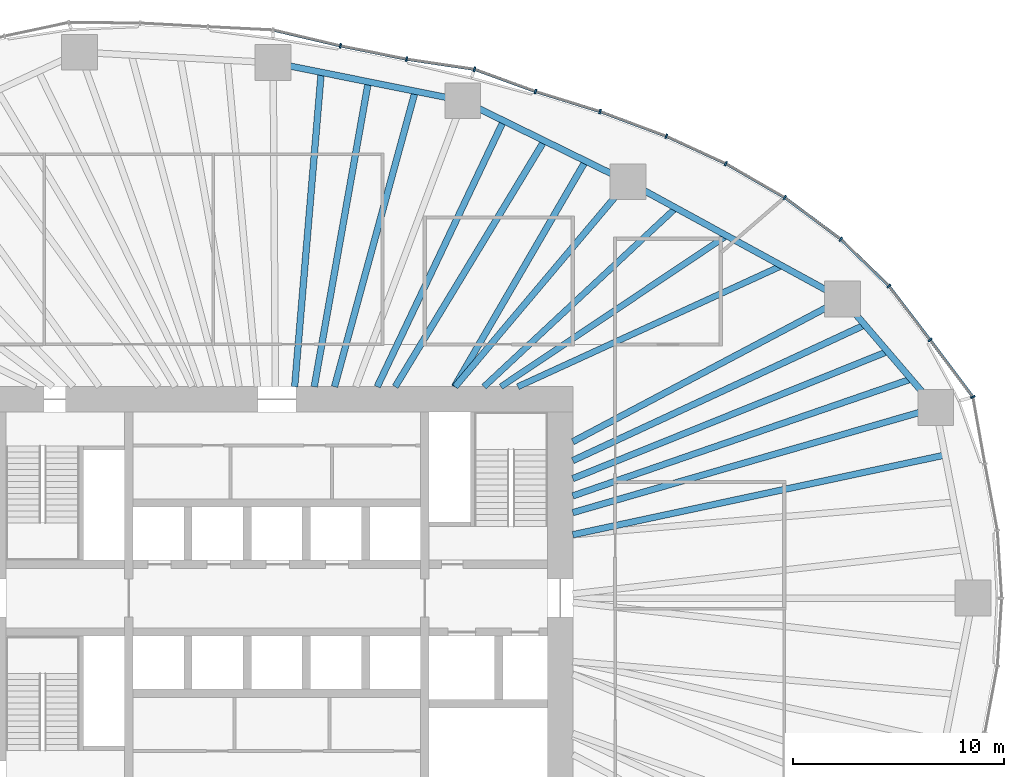
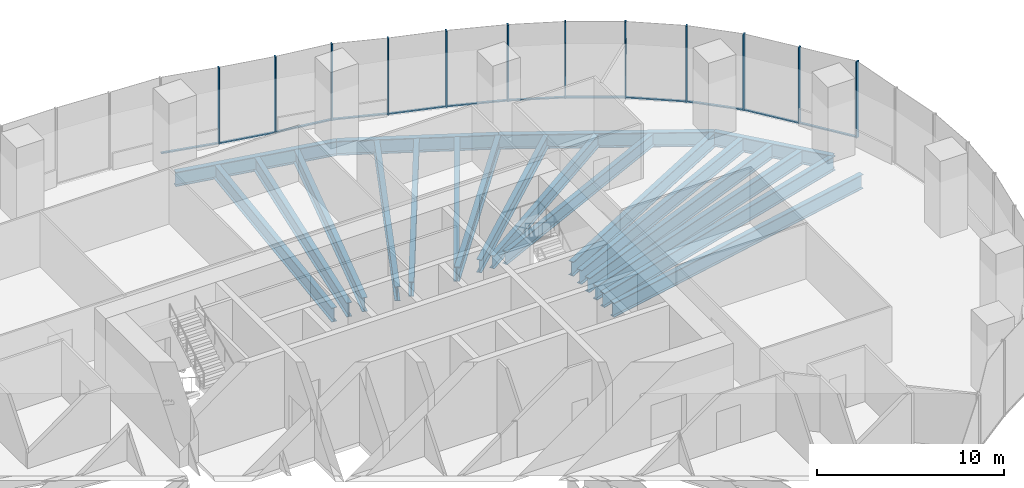
# One storey, part 6 of 20: 24 members, 20 beams, 4 elements without a shape of their own.
"""IFC4 building model written with IfcOpenShell, lengths in metres."""

from ifc_helpers import new_model, si_unit, direction, frame, origin, origin_2d, place, context, subcontext, project, spatial, rectangle, i_section, extrude, material, material_profile, profile_set, type_object, element, aggregate, save


model = new_model("IFC4")

# Units and contexts
model_context = context("Model", 3, precision=1e-05, world=origin(), true_north=direction((0.0, 1.0)))
body_context = subcontext(model_context, "Body", "Model", "MODEL_VIEW")
ifc_project = project(units=[si_unit("LENGTHUNIT", "METRE"), si_unit("AREAUNIT", "SQUARE_METRE"), si_unit("VOLUMEUNIT", "CUBIC_METRE"), si_unit("PLANEANGLEUNIT", "RADIAN"), si_unit("MASSUNIT", "GRAM", prefix="KILO")], contexts=[model_context])

# Site, building, storey
site_placement = place(None, origin())
site = spatial("IfcSite", under=ifc_project, at=site_placement, CompositionType="ELEMENT")
building_placement = place(site_placement, origin())
building = spatial("IfcBuilding", under=site, at=building_placement, Name="Ghaith Harvest Tower", CompositionType="ELEMENT")
storey_placement = place(building_placement, frame((0.0, 0.0, 65.0)))
storey = spatial("IfcBuildingStorey", under=building, at=storey_placement, Name="L13", CompositionType="ELEMENT", Elevation=65.0)

# Curtain wall, members
ifc_material_1 = material(Name="Black anodised aluminium and fritted glass", Category="aluminium")
curtain_wall_type = type_object("IfcCurtainWallType", Name="CW-F CURTAIN WALL", PredefinedType="NOTDEFINED", material=ifc_material_1)
curtain_wall_1_placement = place(storey_placement, origin())
curtain_wall_1 = element("IfcCurtainWall", 1, at=curtain_wall_1_placement, inside=storey, type_object=curtain_wall_type, Name="Curtain wall CW-F bay 02 L13", PredefinedType="NOTDEFINED")
ifc_material_2 = material(Name="Aluminium, black anodised", Category="aluminium")
ifc_material_profile_1 = material_profile(ifc_material_2, rectangle(XDim=0.080078125, YDim=0.219970703125, at=origin_2d()), Name="CW-F MULLION 80x220")
ifc_profile_set_1 = profile_set([ifc_material_profile_1], Name="Aluminium, black anodised")
member_type_1 = type_object("IfcMemberType", Name="CW-F MULLION 80x220", PredefinedType="MULLION", material=ifc_profile_set_1)
member_1_placement = place(storey_placement, frame((32.923583984375, 9.515625, 0.0), z_axis=(0.0, 0.0, 1.0), x_axis=(-0.404701693729, 0.914448762421, 0.0)))
member_1 = element("IfcMember", 2, at=member_1_placement, type_object=member_type_1, Name="CW-F mullion 1 bay 02 L13", PredefinedType="MULLION", context=body_context, shape_type="SweptSolid", body=[
    extrude(rectangle(XDim=0.080078125, YDim=0.219970703125, at=origin_2d()), origin(), (0.0, 0.0, 1.0), 5.0),
])
member_2_placement = place(storey_placement, frame((30.896728515625, 12.215087890625, 0.0), z_axis=(0.0, 0.0, 1.0), x_axis=(-0.603948315345, 0.797023482961, 0.0)))
member_2 = element("IfcMember", 3, at=member_2_placement, type_object=member_type_1, Name="CW-F mullion 2 bay 02 L13", PredefinedType="MULLION", context=body_context, shape_type="SweptSolid", body=[
    extrude(rectangle(XDim=0.080078125, YDim=0.219970703125, at=origin_2d()), origin(), (0.0, 0.0, 1.0), 5.0),
])
member_3_placement = place(storey_placement, frame((28.947021484375, 14.763427734375, 0.0), z_axis=(0.0, 0.0, 1.0), x_axis=(-0.663604797296, 0.748083332929, 0.0)))
member_3 = element("IfcMember", 4, at=member_3_placement, type_object=member_type_1, Name="CW-F mullion 3 bay 02 L13", PredefinedType="MULLION", context=body_context, shape_type="SweptSolid", body=[
    extrude(rectangle(XDim=0.080078125, YDim=0.219970703125, at=origin_2d()), origin(), (0.0, 0.0, 1.0), 5.0),
])

curtain_wall_2_placement = place(storey_placement, origin())
curtain_wall_2 = element("IfcCurtainWall", 5, at=curtain_wall_2_placement, inside=storey, type_object=curtain_wall_type, Name="Curtain wall CW-F bay 03 L13", PredefinedType="NOTDEFINED")
member_4_placement = place(storey_placement, frame((26.673828125, 16.9755859375, 0.0), z_axis=(0.0, 0.0, 1.0), x_axis=(-0.762365981091, 0.647146127915, 0.0)))
member_4 = element("IfcMember", 6, at=member_4_placement, type_object=member_type_1, Name="CW-F mullion 1 bay 03 L13", PredefinedType="MULLION", context=body_context, shape_type="SweptSolid", body=[
    extrude(rectangle(XDim=0.080078125, YDim=0.219970703125, at=origin_2d()), origin(), (0.0, 0.0, 1.0), 5.0),
])
member_5_placement = place(storey_placement, frame((24.018310546875, 18.947265625, 0.0), z_axis=(0.0, 0.0, 1.0), x_axis=(-0.835443516723, 0.549576318963, 0.0)))
member_5 = element("IfcMember", 7, at=member_5_placement, type_object=member_type_1, Name="CW-F mullion 2 bay 03 L13", PredefinedType="MULLION", context=body_context, shape_type="SweptSolid", body=[
    extrude(rectangle(XDim=0.080078125, YDim=0.219970703125, at=origin_2d()), origin(), (0.0, 0.0, 1.0), 5.0),
])
member_6_placement = place(storey_placement, frame((21.2353515625, 20.552978515625, 0.0), z_axis=(0.0, 0.0, 1.0), x_axis=(-0.887896671642, 0.460042933308, 0.0)))
member_6 = element("IfcMember", 8, at=member_6_placement, type_object=member_type_1, Name="CW-F mullion 3 bay 03 L13", PredefinedType="MULLION", context=body_context, shape_type="SweptSolid", body=[
    extrude(rectangle(XDim=0.080078125, YDim=0.219970703125, at=origin_2d()), origin(), (0.0, 0.0, 1.0), 5.0),
])

curtain_wall_3_placement = place(storey_placement, origin())
curtain_wall_3 = element("IfcCurtainWall", 9, at=curtain_wall_3_placement, inside=storey, type_object=curtain_wall_type, Name="Curtain wall CW-F bay 04 L13", PredefinedType="NOTDEFINED")
member_7_placement = place(storey_placement, frame((18.422607421875, 21.8466796875, 0.0), z_axis=(0.0, 0.0, 1.0), x_axis=(-0.923910199252, 0.382609387912, 0.0)))
member_7 = element("IfcMember", 10, at=member_7_placement, type_object=member_type_1, Name="CW-F mullion 1 bay 04 L13", PredefinedType="MULLION", context=body_context, shape_type="SweptSolid", body=[
    extrude(rectangle(XDim=0.080078125, YDim=0.219970703125, at=origin_2d()), origin(), (0.0, 0.0, 1.0), 5.0),
])
member_8_placement = place(storey_placement, frame((15.28759765625, 23.01611328125, 0.0), z_axis=(0.0, 0.0, 1.0), x_axis=(-0.946121020954, 0.323813238933, 0.0)))
member_8 = element("IfcMember", 11, at=member_8_placement, type_object=member_type_1, Name="CW-F mullion 2 bay 04 L13", PredefinedType="MULLION", context=body_context, shape_type="SweptSolid", body=[
    extrude(rectangle(XDim=0.080078125, YDim=0.219970703125, at=origin_2d()), origin(), (0.0, 0.0, 1.0), 5.0),
])
member_9_placement = place(storey_placement, frame((12.234375, 23.964599609375, 0.0), z_axis=(0.0, 0.0, 1.0), x_axis=(-0.947653438436, 0.319300736957, 0.0)))
member_9 = element("IfcMember", 12, at=member_9_placement, type_object=member_type_1, Name="CW-F mullion 3 bay 04 L13", PredefinedType="MULLION", context=body_context, shape_type="SweptSolid", body=[
    extrude(rectangle(XDim=0.080078125, YDim=0.219970703125, at=origin_2d()), origin(), (0.0, 0.0, 1.0), 5.0),
])

curtain_wall_4_placement = place(storey_placement, origin())
curtain_wall_4 = element("IfcCurtainWall", 13, at=curtain_wall_4_placement, inside=storey, type_object=curtain_wall_type, Name="Curtain wall CW-F bay 05 L13", PredefinedType="NOTDEFINED")
member_10_placement = place(storey_placement, frame((9.351806640625, 25.01611328125, 0.0), z_axis=(0.0, 0.0, 1.0), x_axis=(-0.969903429236, 0.243489913461, 0.0)))
member_10 = element("IfcMember", 14, at=member_10_placement, type_object=member_type_1, Name="CW-F mullion 1 bay 05 L13", PredefinedType="MULLION", context=body_context, shape_type="SweptSolid", body=[
    extrude(rectangle(XDim=0.080078125, YDim=0.219970703125, at=origin_2d()), origin(), (0.0, 0.0, 1.0), 5.0),
])
member_11_placement = place(storey_placement, frame((6.136962890625, 25.495361328125, 0.0), z_axis=(0.0, 0.0, 1.0), x_axis=(-0.985103843977, 0.171960508788, 0.0)))
member_11 = element("IfcMember", 15, at=member_11_placement, type_object=member_type_1, Name="CW-F mullion 2 bay 05 L13", PredefinedType="MULLION", context=body_context, shape_type="SweptSolid", body=[
    extrude(rectangle(XDim=0.080078125, YDim=0.219970703125, at=origin_2d()), origin(), (0.0, 0.0, 1.0), 5.0),
])
member_12_placement = place(storey_placement, frame((3.00927734375, 26.123291015625, 0.0), z_axis=(0.0, 0.0, 1.0), x_axis=(-0.976927332869, 0.213571969822, 0.0)))
member_12 = element("IfcMember", 16, at=member_12_placement, type_object=member_type_1, Name="CW-F mullion 3 bay 05 L13", PredefinedType="MULLION", context=body_context, shape_type="SweptSolid", body=[
    extrude(rectangle(XDim=0.080078125, YDim=0.219970703125, at=origin_2d()), origin(), (0.0, 0.0, 1.0), 5.0),
])

# Member
ifc_material_3 = material(Name="Aluminium, black anodised", Category="aluminium")
ifc_material_profile_2 = material_profile(ifc_material_3, rectangle(XDim=0.139892578125, YDim=0.080078125, at=origin_2d()), Name="CW-F TRANSOM 140x80")
ifc_profile_set_2 = profile_set([ifc_material_profile_2], Name="Aluminium, black anodised")
member_type_2 = type_object("IfcMemberType", Name="CW-F TRANSOM 140x80", PredefinedType="USERDEFINED", material=ifc_profile_set_2)
member_13_placement = place(storey_placement, frame((32.899658203125, 9.547607421875, 0.0400390625), z_axis=(-0.600462135687, 0.799653189581, 0.0), x_axis=(-0.799653189581, -0.600462135687, 0.0)))
member_13 = element("IfcMember", 17, at=member_13_placement, type_object=member_type_2, Name="CW-F transom 1 bay 02 L13", ObjectType="TRANSOM", PredefinedType="USERDEFINED", context=body_context, shape_type="SweptSolid", body=[
    extrude(rectangle(XDim=0.139892578125, YDim=0.080078125, at=origin_2d()), origin(), (0.0, 0.0, 1.0), 3.2958984375),
])

member_14_placement = place(storey_placement, frame((30.87255859375, 12.246826171875, 0.0400390625), z_axis=(-0.607638356471, 0.794213842579, 0.0), x_axis=(-0.794213842579, -0.607638356471, 0.0)))
member_14 = element("IfcMember", 18, at=member_14_placement, type_object=member_type_2, Name="CW-F transom 2 bay 02 L13", ObjectType="TRANSOM", PredefinedType="USERDEFINED", context=body_context, shape_type="SweptSolid", body=[
    extrude(rectangle(XDim=0.139892578125, YDim=0.080078125, at=origin_2d()), origin(), (0.0, 0.0, 1.0), 3.128662109375),
])

member_15_placement = place(storey_placement, frame((28.91845703125, 14.791259765625, 0.0400390625), z_axis=(-0.71671313139, 0.697368114623, 0.0), x_axis=(-0.697368114623, -0.71671313139, 0.0)))
member_15 = element("IfcMember", 19, at=member_15_placement, type_object=member_type_2, Name="CW-F transom 3 bay 02 L13", ObjectType="TRANSOM", PredefinedType="USERDEFINED", context=body_context, shape_type="SweptSolid", body=[
    extrude(rectangle(XDim=0.139892578125, YDim=0.080078125, at=origin_2d()), origin(), (0.0, 0.0, 1.0), 3.092041015625),
])

aggregate(curtain_wall_1, [member_1, member_13, member_2, member_14, member_3, member_15])

member_16_placement = place(storey_placement, frame((26.641845703125, 16.999267578125, 0.0400390625), z_axis=(-0.802877287823, 0.596144328748, 0.0), x_axis=(-0.596144328748, -0.802877287823, 0.0)))
member_16 = element("IfcMember", 20, at=member_16_placement, type_object=member_type_2, Name="CW-F transom 1 bay 03 L13", ObjectType="TRANSOM", PredefinedType="USERDEFINED", context=body_context, shape_type="SweptSolid", body=[
    extrude(rectangle(XDim=0.139892578125, YDim=0.080078125, at=origin_2d()), origin(), (0.0, 0.0, 1.0), 3.2275390625),
])

member_17_placement = place(storey_placement, frame((23.983642578125, 18.96728515625, 0.0400390625), z_axis=(-0.866168719914, 0.499751686983, 0.0), x_axis=(-0.499751686983, -0.866168719914, 0.0)))
member_17 = element("IfcMember", 21, at=member_17_placement, type_object=member_type_2, Name="CW-F transom 2 bay 03 L13", ObjectType="TRANSOM", PredefinedType="USERDEFINED", context=body_context, shape_type="SweptSolid", body=[
    extrude(rectangle(XDim=0.139892578125, YDim=0.080078125, at=origin_2d()), origin(), (0.0, 0.0, 1.0), 3.1328125),
])

member_18_placement = place(storey_placement, frame((21.19921875, 20.56982421875, 0.0400390625), z_axis=(-0.908553137239, 0.417769310521, 0.0), x_axis=(-0.417769310521, -0.908553137239, 0.0)))
member_18 = element("IfcMember", 22, at=member_18_placement, type_object=member_type_2, Name="CW-F transom 3 bay 03 L13", ObjectType="TRANSOM", PredefinedType="USERDEFINED", context=body_context, shape_type="SweptSolid", body=[
    extrude(rectangle(XDim=0.139892578125, YDim=0.080078125, at=origin_2d()), origin(), (0.0, 0.0, 1.0), 3.01611328125),
])

aggregate(curtain_wall_2, [member_4, member_16, member_5, member_17, member_6, member_18])

member_19_placement = place(storey_placement, frame((18.385009765625, 21.860595703125, 0.0400390625), z_axis=(-0.936923785579, 0.349533717996, 0.0), x_axis=(-0.349533717996, -0.936923785579, 0.0)))
member_19 = element("IfcMember", 23, at=member_19_placement, type_object=member_type_2, Name="CW-F transom 1 bay 04 L13", ObjectType="TRANSOM", PredefinedType="USERDEFINED", context=body_context, shape_type="SweptSolid", body=[
    extrude(rectangle(XDim=0.139892578125, YDim=0.080078125, at=origin_2d()), origin(), (0.0, 0.0, 1.0), 3.26611328125),
])

member_20_placement = place(storey_placement, frame((15.249267578125, 23.028076171875, 0.0400390625), z_axis=(-0.954998362353, 0.296611071781, 0.0), x_axis=(-0.296611071781, -0.954998362353, 0.0)))
member_20 = element("IfcMember", 24, at=member_20_placement, type_object=member_type_2, Name="CW-F transom 2 bay 04 L13", ObjectType="TRANSOM", PredefinedType="USERDEFINED", context=body_context, shape_type="SweptSolid", body=[
    extrude(rectangle(XDim=0.139892578125, YDim=0.080078125, at=origin_2d()), origin(), (0.0, 0.0, 1.0), 3.1171875),
])

member_21_placement = place(storey_placement, frame((12.19677734375, 23.978271484375, 0.0400390625), z_axis=(-0.939437502081, 0.342720264478, 0.0), x_axis=(-0.342720264478, -0.939437502081, 0.0)))
member_21 = element("IfcMember", 25, at=member_21_placement, type_object=member_type_2, Name="CW-F transom 3 bay 04 L13", ObjectType="TRANSOM", PredefinedType="USERDEFINED", context=body_context, shape_type="SweptSolid", body=[
    extrude(rectangle(XDim=0.139892578125, YDim=0.080078125, at=origin_2d()), origin(), (0.0, 0.0, 1.0), 2.98828125),
])

aggregate(curtain_wall_3, [member_7, member_19, member_8, member_20, member_9, member_21])

member_22_placement = place(storey_placement, frame((9.312255859375, 25.02197265625, 0.0400390625), z_axis=(-0.989078238205, 0.147391447207, 0.0), x_axis=(-0.147391447207, -0.989078238205, 0.0)))
member_22 = element("IfcMember", 26, at=member_22_placement, type_object=member_type_2, Name="CW-F transom 1 bay 05 L13", ObjectType="TRANSOM", PredefinedType="USERDEFINED", context=body_context, shape_type="SweptSolid", body=[
    extrude(rectangle(XDim=0.139892578125, YDim=0.080078125, at=origin_2d()), origin(), (0.0, 0.0, 1.0), 3.17041015625),
])

member_23_placement = place(storey_placement, frame((6.097900390625, 25.503173828125, 0.0400390625), z_axis=(-0.980432471193, 0.196855707129, 0.0), x_axis=(-0.196855707129, -0.980432471193, 0.0)))
member_23 = element("IfcMember", 27, at=member_23_placement, type_object=member_type_2, Name="CW-F transom 2 bay 05 L13", ObjectType="TRANSOM", PredefinedType="USERDEFINED", context=body_context, shape_type="SweptSolid", body=[
    extrude(rectangle(XDim=0.139892578125, YDim=0.080078125, at=origin_2d()), origin(), (0.0, 0.0, 1.0), 3.1103515625),
])

member_24_placement = place(storey_placement, frame((2.97021484375, 26.132568359375, 0.0400390625), z_axis=(-0.973252867589, 0.229736491942, 0.0), x_axis=(-0.229736491942, -0.973252867589, 0.0)))
member_24 = element("IfcMember", 28, at=member_24_placement, type_object=member_type_2, Name="CW-F transom 3 bay 05 L13", ObjectType="TRANSOM", PredefinedType="USERDEFINED", context=body_context, shape_type="SweptSolid", body=[
    extrude(rectangle(XDim=0.139892578125, YDim=0.080078125, at=origin_2d()), origin(), (0.0, 0.0, 1.0), 3.200927734375),
])

aggregate(curtain_wall_4, [member_10, member_22, member_11, member_23, member_12, member_24])

# Beams
ifc_material_4 = material(Name="Steel ASTM A992 Grade 50", Category="steel")
ifc_material_profile_3 = material_profile(ifc_material_4, i_section(OverallWidth=0.306884765625, OverallDepth=0.94189453125, WebThickness=0.022216796875, FlangeThickness=0.039794921875, at=origin_2d()), Name="W920X345")
ifc_profile_set_3 = profile_set([ifc_material_profile_3], Name="Steel ASTM A992 Grade 50")
beam_type_1 = type_object("IfcBeamType", Name="E920-345 W920X345", PredefinedType="SPANDREL", material=ifc_profile_set_3)
beam_1_placement = place(storey_placement, frame((31.166015625, 9.008056640625, -0.6708984375), z_axis=(-0.65056255283, 0.759452674533, 0.0), x_axis=(-0.759452674533, -0.65056255283, 0.0)))
element("IfcBeam", 29, at=beam_1_placement, inside=storey, type_object=beam_type_1, Name="Edge beam E02 L13", PredefinedType="SPANDREL", context=body_context, shape_type="SweptSolid", body=[
    extrude(i_section(OverallWidth=0.306884765625, OverallDepth=0.94189453125, WebThickness=0.022216796875, FlangeThickness=0.039794921875, at=origin_2d()), origin(), (0.0, 0.0, 1.0), 6.7666015625),
])
beam_2_placement = place(storey_placement, frame((26.763916015625, 14.14697265625, -0.6708984375), z_axis=(-0.877588218279, 0.479415184509, 0.0), x_axis=(-0.479415184509, -0.877588218279, 0.0)))
element("IfcBeam", 30, at=beam_2_placement, inside=storey, type_object=beam_type_1, Name="Edge beam E03 L13", PredefinedType="SPANDREL", context=body_context, shape_type="SweptSolid", body=[
    extrude(i_section(OverallWidth=0.306884765625, OverallDepth=0.94189453125, WebThickness=0.022216796875, FlangeThickness=0.039794921875, at=origin_2d()), origin(), (0.0, 0.0, 1.0), 11.57275390625),
])
beam_3_placement = place(storey_placement, frame((16.60791015625, 19.695068359375, -0.6708984375), z_axis=(-0.897823733825, 0.440355019252, 0.0), x_axis=(-0.440355019252, -0.897823733825, 0.0)))
element("IfcBeam", 31, at=beam_3_placement, inside=storey, type_object=beam_type_1, Name="Edge beam E04 L13", PredefinedType="SPANDREL", context=body_context, shape_type="SweptSolid", body=[
    extrude(i_section(OverallWidth=0.306884765625, OverallDepth=0.94189453125, WebThickness=0.022216796875, FlangeThickness=0.039794921875, at=origin_2d()), origin(), (0.0, 0.0, 1.0), 8.7021484375),
])
beam_4_placement = place(storey_placement, frame((8.794921875, 23.527099609375, -0.6708984375), z_axis=(-0.980450082464, 0.196767974517, 0.0), x_axis=(-0.196767974517, -0.980450082464, 0.0)))
element("IfcBeam", 32, at=beam_4_placement, inside=storey, type_object=beam_type_1, Name="Edge beam E05 L13", PredefinedType="SPANDREL", context=body_context, shape_type="SweptSolid", body=[
    extrude(i_section(OverallWidth=0.306884765625, OverallDepth=0.94189453125, WebThickness=0.022216796875, FlangeThickness=0.039794921875, at=origin_2d()), origin(), (0.0, 0.0, 1.0), 9.146728515625),
])
ifc_material_5 = material(Name="Steel ASTM A992 Grade 50", Category="steel")
ifc_material_profile_4 = material_profile(ifc_material_5, i_section(OverallWidth=0.306884765625, OverallDepth=0.94189453125, WebThickness=0.022216796875, FlangeThickness=0.039794921875, at=origin_2d()), Name="W920X345")
ifc_profile_set_4 = profile_set([ifc_material_profile_4], Name="Steel ASTM A992 Grade 50")
beam_type_2 = type_object("IfcBeamType", Name="G920-345 W920X345", PredefinedType="BEAM", material=ifc_profile_set_4)
beam_5_placement = place(storey_placement, frame((14.0, 4.04638671875, -0.6708984375), z_axis=(0.960675395102, 0.277673882903, 0.0), x_axis=(-0.277673882903, 0.960675395102, 0.0)))
element("IfcBeam", 33, at=beam_5_placement, inside=storey, type_object=beam_type_2, Name="Radial girder G02 L13", PredefinedType="BEAM", context=body_context, shape_type="SweptSolid", body=[
    extrude(i_section(OverallWidth=0.306884765625, OverallDepth=0.94189453125, WebThickness=0.022216796875, FlangeThickness=0.039794921875, at=origin_2d()), origin(), (0.0, 0.0, 1.0), 17.86865234375),
])
beam_6_placement = place(storey_placement, frame((14.0, 7.39990234375, -0.6708984375), z_axis=(0.884082663971, 0.467330550324, 0.0), x_axis=(-0.467330550324, 0.884082663971, 0.0)))
element("IfcBeam", 34, at=beam_6_placement, inside=storey, type_object=beam_type_2, Name="Radial girder G03 L13", PredefinedType="BEAM", context=body_context, shape_type="SweptSolid", body=[
    extrude(i_section(OverallWidth=0.306884765625, OverallDepth=0.94189453125, WebThickness=0.022216796875, FlangeThickness=0.039794921875, at=origin_2d()), origin(), (0.0, 0.0, 1.0), 14.4375),
])
beam_7_placement = place(storey_placement, frame((8.4326171875, 10.0, -0.6708984375), z_axis=(0.644644245772, 0.764482698557, 0.0), x_axis=(-0.764482698557, 0.644644245772, 0.0)))
element("IfcBeam", 35, at=beam_7_placement, inside=storey, type_object=beam_type_2, Name="Radial girder G04 L13", PredefinedType="BEAM", context=body_context, shape_type="SweptSolid", body=[
    extrude(i_section(OverallWidth=0.306884765625, OverallDepth=0.94189453125, WebThickness=0.022216796875, FlangeThickness=0.039794921875, at=origin_2d()), origin(), (0.0, 0.0, 1.0), 12.681884765625),
])
ifc_material_6 = material(Name="Steel ASTM A992 Grade 50", Category="steel")
ifc_material_profile_5 = material_profile(ifc_material_6, i_section(OverallWidth=0.2939453125, OverallDepth=0.85107421875, WebThickness=0.01611328125, FlangeThickness=0.02685546875, at=origin_2d()), Name="W840X226")
ifc_profile_set_5 = profile_set([ifc_material_profile_5], Name="Steel ASTM A992 Grade 50")
beam_type_3 = type_object("IfcBeamType", Name="J840-226 W840X226", PredefinedType="JOIST", material=ifc_profile_set_5)
beam_8_placement = place(storey_placement, frame((11.39990234375, 10.0, -0.62548828125), z_axis=(0.909014022454, 0.416765529983, 0.0), x_axis=(-0.416765529983, 0.909014022454, 0.0)))
element("IfcBeam", 36, at=beam_8_placement, inside=storey, type_object=beam_type_3, Name="Joist J03.1 L13", PredefinedType="JOIST", context=body_context, shape_type="SweptSolid", body=[
    extrude(i_section(OverallWidth=0.2939453125, OverallDepth=0.85107421875, WebThickness=0.01611328125, FlangeThickness=0.02685546875, at=origin_2d()), origin(), (0.0, 0.0, 1.0), 13.72998046875),
])
beam_9_placement = place(storey_placement, frame((10.60009765625, 10.0, -0.62548828125), z_axis=(0.831116486766, 0.556098359489, 0.0), x_axis=(-0.556098359489, 0.831116486766, 0.0)))
element("IfcBeam", 37, at=beam_9_placement, inside=storey, type_object=beam_type_3, Name="Joist J03.2 L13", PredefinedType="JOIST", context=body_context, shape_type="SweptSolid", body=[
    extrude(i_section(OverallWidth=0.2939453125, OverallDepth=0.85107421875, WebThickness=0.01611328125, FlangeThickness=0.02685546875, at=origin_2d()), origin(), (0.0, 0.0, 1.0), 12.84716796875),
])
beam_10_placement = place(storey_placement, frame((9.800048828125, 10.0, -0.62548828125), z_axis=(0.731538123562, 0.681800538116, 0.0), x_axis=(-0.681800538116, 0.731538123562, 0.0)))
element("IfcBeam", 38, at=beam_10_placement, inside=storey, type_object=beam_type_3, Name="Joist J03.3 L13", PredefinedType="JOIST", context=body_context, shape_type="SweptSolid", body=[
    extrude(i_section(OverallWidth=0.2939453125, OverallDepth=0.85107421875, WebThickness=0.01611328125, FlangeThickness=0.02685546875, at=origin_2d()), origin(), (0.0, 0.0, 1.0), 12.404052734375),
])
ifc_material_7 = material(Name="Steel ASTM A992 Grade 50", Category="steel")
ifc_material_profile_6 = material_profile(ifc_material_7, i_section(OverallWidth=0.31005859375, OverallDepth=0.927001953125, WebThickness=0.019287109375, FlangeThickness=0.031982421875, at=origin_2d()), Name="W920X289")
ifc_profile_set_6 = profile_set([ifc_material_profile_6], Name="Steel ASTM A992 Grade 50")
beam_type_4 = type_object("IfcBeamType", Name="J920-289 W920X289", PredefinedType="JOIST", material=ifc_profile_set_6)
beam_11_placement = place(storey_placement, frame((14.0, 6.506103515625, -0.66357421875), z_axis=(0.906862619792, 0.421426374144, 0.0), x_axis=(-0.421426374144, 0.906862619792, 0.0)))
element("IfcBeam", 39, at=beam_11_placement, inside=storey, type_object=beam_type_4, Name="Joist J02.3 L13", PredefinedType="JOIST", context=body_context, shape_type="SweptSolid", body=[
    extrude(i_section(OverallWidth=0.31005859375, OverallDepth=0.927001953125, WebThickness=0.019287109375, FlangeThickness=0.031982421875, at=origin_2d()), origin(), (0.0, 0.0, 1.0), 15.229736328125),
])
beam_12_placement = place(storey_placement, frame((8.39990234375, 10.0, -0.66357421875), z_axis=(0.50228574324, 0.864701701246, 0.0), x_axis=(-0.864701701246, 0.50228574324, 0.0)))
element("IfcBeam", 40, at=beam_12_placement, inside=storey, type_object=beam_type_4, Name="Joist J04.1 L13", PredefinedType="JOIST", context=body_context, shape_type="SweptSolid", body=[
    extrude(i_section(OverallWidth=0.31005859375, OverallDepth=0.927001953125, WebThickness=0.019287109375, FlangeThickness=0.031982421875, at=origin_2d()), origin(), (0.0, 0.0, 1.0), 12.349365234375),
])
beam_13_placement = place(storey_placement, frame((5.60009765625, 10.0, -0.66357421875), z_axis=(0.518319612023, 0.85518698528, 0.0), x_axis=(-0.85518698528, 0.518319612023, 0.0)))
element("IfcBeam", 41, at=beam_13_placement, inside=storey, type_object=beam_type_4, Name="Joist J04.2 L13", PredefinedType="JOIST", context=body_context, shape_type="SweptSolid", body=[
    extrude(i_section(OverallWidth=0.31005859375, OverallDepth=0.927001953125, WebThickness=0.019287109375, FlangeThickness=0.031982421875, at=origin_2d()), origin(), (0.0, 0.0, 1.0), 13.60546875),
])
beam_14_placement = place(storey_placement, frame((4.75, 10.0, -0.66357421875), z_axis=(0.429059675117, 0.903276145588, 0.0), x_axis=(-0.903276145588, 0.429059675117, 0.0)))
element("IfcBeam", 42, at=beam_14_placement, inside=storey, type_object=beam_type_4, Name="Joist J04.3 L13", PredefinedType="JOIST", context=body_context, shape_type="SweptSolid", body=[
    extrude(i_section(OverallWidth=0.31005859375, OverallDepth=0.927001953125, WebThickness=0.019287109375, FlangeThickness=0.031982421875, at=origin_2d()), origin(), (0.0, 0.0, 1.0), 13.92724609375),
])
beam_15_placement = place(storey_placement, frame((2.73095703125, 10.0, -0.66357421875), z_axis=(0.263455282447, 0.964671609487, 0.0), x_axis=(-0.964671609487, 0.263455282447, 0.0)))
element("IfcBeam", 43, at=beam_15_placement, inside=storey, type_object=beam_type_4, Name="Joist J05.1 L13", PredefinedType="JOIST", context=body_context, shape_type="SweptSolid", body=[
    extrude(i_section(OverallWidth=0.31005859375, OverallDepth=0.927001953125, WebThickness=0.019287109375, FlangeThickness=0.031982421875, at=origin_2d()), origin(), (0.0, 0.0, 1.0), 14.48974609375),
])
beam_16_placement = place(storey_placement, frame((1.772705078125, 10.0, -0.66357421875), z_axis=(0.174552574354, 0.984647855218, 0.0), x_axis=(-0.984647855218, 0.174552574354, 0.0)))
element("IfcBeam", 44, at=beam_16_placement, inside=storey, type_object=beam_type_4, Name="Joist J05.2 L13", PredefinedType="JOIST", context=body_context, shape_type="SweptSolid", body=[
    extrude(i_section(OverallWidth=0.31005859375, OverallDepth=0.927001953125, WebThickness=0.019287109375, FlangeThickness=0.031982421875, at=origin_2d()), origin(), (0.0, 0.0, 1.0), 14.648193359375),
])
beam_17_placement = place(storey_placement, frame((0.844970703125, 10.0, -0.66357421875), z_axis=(0.084219252187, 0.996447247756, 0.0), x_axis=(-0.996447247756, 0.084219252187, 0.0)))
element("IfcBeam", 45, at=beam_17_placement, inside=storey, type_object=beam_type_4, Name="Joist J05.3 L13", PredefinedType="JOIST", context=body_context, shape_type="SweptSolid", body=[
    extrude(i_section(OverallWidth=0.31005859375, OverallDepth=0.927001953125, WebThickness=0.019287109375, FlangeThickness=0.031982421875, at=origin_2d()), origin(), (0.0, 0.0, 1.0), 14.92333984375),
])
ifc_material_8 = material(Name="Steel ASTM A992 Grade 50", Category="steel")
ifc_material_profile_7 = material_profile(ifc_material_8, i_section(OverallWidth=0.306884765625, OverallDepth=0.94189453125, WebThickness=0.022216796875, FlangeThickness=0.039794921875, at=origin_2d()), Name="W920X345")
ifc_profile_set_7 = profile_set([ifc_material_profile_7], Name="Steel ASTM A992 Grade 50")
beam_type_5 = type_object("IfcBeamType", Name="J920-345 W920X345", PredefinedType="JOIST", material=ifc_profile_set_7)
beam_18_placement = place(storey_placement, frame((14.0, 3.0, -0.6708984375), z_axis=(0.977831380626, 0.209393865869, 0.0), x_axis=(-0.209393865869, 0.977831380626, 0.0)))
element("IfcBeam", 46, at=beam_18_placement, inside=storey, type_object=beam_type_5, Name="Joist J01.3 L13", PredefinedType="JOIST", context=body_context, shape_type="SweptSolid", body=[
    extrude(i_section(OverallWidth=0.306884765625, OverallDepth=0.94189453125, WebThickness=0.022216796875, FlangeThickness=0.039794921875, at=origin_2d()), origin(), (0.0, 0.0, 1.0), 18.002197265625),
])
beam_19_placement = place(storey_placement, frame((14.0, 4.835693359375, -0.6708984375), z_axis=(0.945204767809, 0.326478095607, 0.0), x_axis=(-0.326478095607, 0.945204767809, 0.0)))
element("IfcBeam", 47, at=beam_19_placement, inside=storey, type_object=beam_type_5, Name="Joist J02.1 L13", PredefinedType="JOIST", context=body_context, shape_type="SweptSolid", body=[
    extrude(i_section(OverallWidth=0.306884765625, OverallDepth=0.94189453125, WebThickness=0.022216796875, FlangeThickness=0.039794921875, at=origin_2d()), origin(), (0.0, 0.0, 1.0), 16.932373046875),
])
beam_20_placement = place(storey_placement, frame((14.0, 5.653564453125, -0.6708984375), z_axis=(0.927252192145, 0.374437407536, 0.0), x_axis=(-0.374437407536, 0.927252192145, 0.0)))
element("IfcBeam", 48, at=beam_20_placement, inside=storey, type_object=beam_type_5, Name="Joist J02.2 L13", PredefinedType="JOIST", context=body_context, shape_type="SweptSolid", body=[
    extrude(i_section(OverallWidth=0.306884765625, OverallDepth=0.94189453125, WebThickness=0.022216796875, FlangeThickness=0.039794921875, at=origin_2d()), origin(), (0.0, 0.0, 1.0), 16.057373046875),
])

save(model, "model.ifc")
